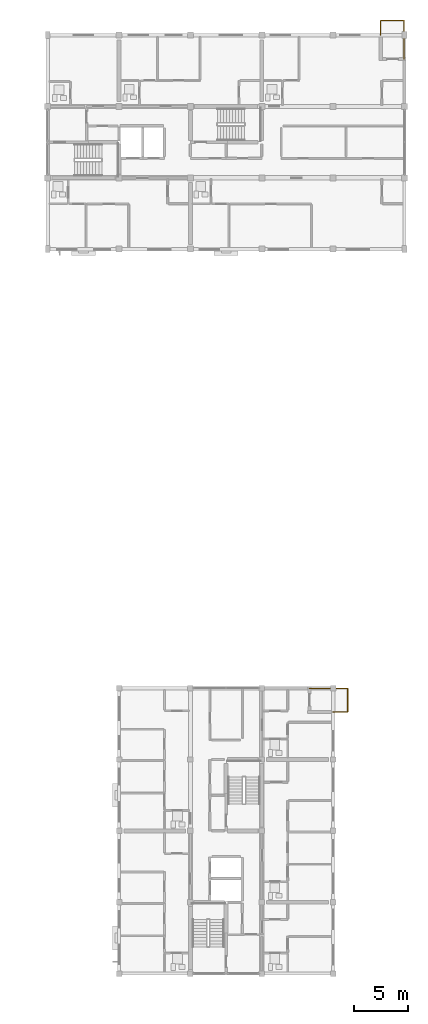
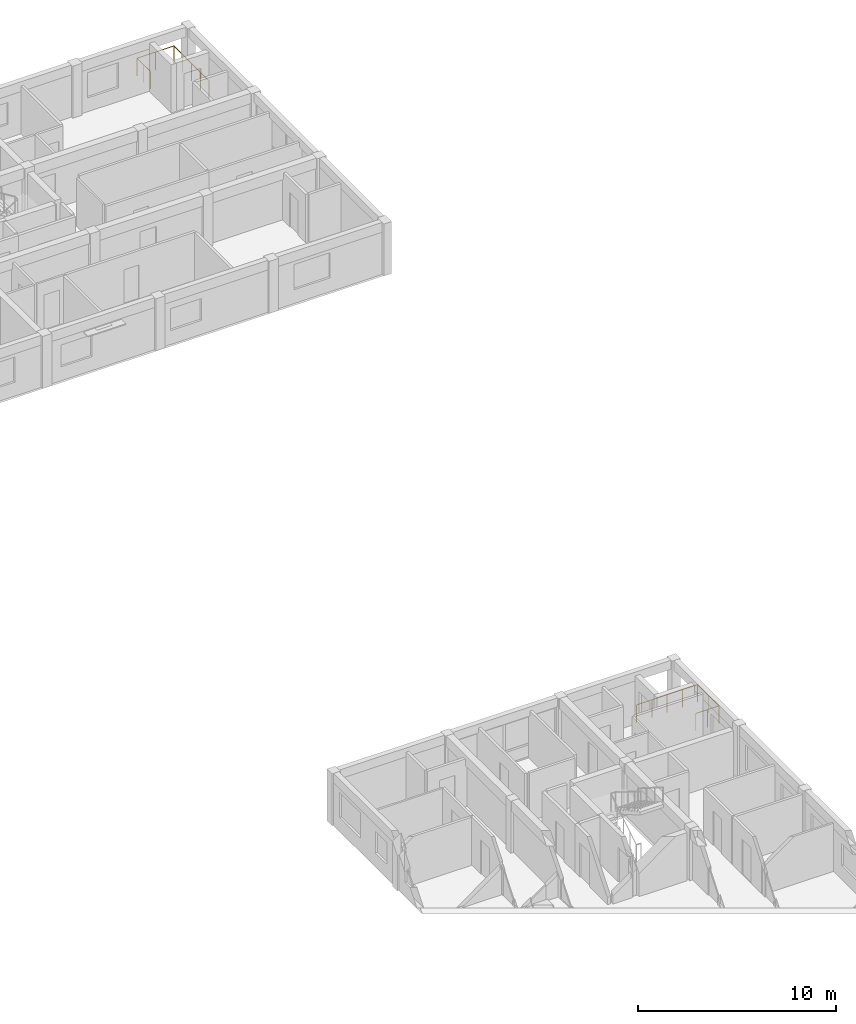
# One storey, part 51 of 52: 2 railings.
"""IFC4 building model written with IfcOpenShell, lengths in metres."""

from ifc_helpers import new_model, si_unit, direction, frame, origin, origin_2d, place, context, subcontext, project, spatial, circle, extrude, material, type_object, element, save


model = new_model("IFC4")

# Units and contexts
model_context = context("Model", 3, precision=1e-05, world=origin(), true_north=direction((0.0, 1.0)))
body_context = subcontext(model_context, "Body", "Model", "MODEL_VIEW")
ifc_project = project(units=[si_unit("LENGTHUNIT", "METRE"), si_unit("AREAUNIT", "SQUARE_METRE"), si_unit("VOLUMEUNIT", "CUBIC_METRE"), si_unit("PLANEANGLEUNIT", "RADIAN"), si_unit("MASSUNIT", "GRAM", prefix="KILO")], contexts=[model_context])

# Site, building, storey
site_placement = place(None, origin())
site = spatial("IfcSite", under=ifc_project, at=site_placement, CompositionType="ELEMENT")
building_placement = place(site_placement, origin())
building = spatial("IfcBuilding", under=site, at=building_placement, Name="Kernevlak Ridge Housing Community", CompositionType="ELEMENT")
storey_placement = place(building_placement, frame((0.0, 0.0, 11.60009765625)))
storey = spatial("IfcBuildingStorey", under=building, at=storey_placement, Name="L03", CompositionType="ELEMENT", Elevation=11.60009765625)

# Railings
ifc_material = material(Name="Steel S355", Category="steel")
railing_type = type_object("IfcRailingType", Name="BL-01", PredefinedType="BALUSTRADE", material=ifc_material)
railing_1_placement = place(storey_placement, frame((150.199951171875, 102.39990234375, 0.0)))
element("IfcRailing", 1, at=railing_1_placement, inside=storey, type_object=railing_type, Name="Block B L03 balcony balustrade BL-01 21", PredefinedType="BALUSTRADE", context=body_context, shape_type="SweptSolid", body=[
    extrude(circle(Radius=0.02392578125, at=origin_2d()), frame((0.0, 0.0, 1.076171875), z_axis=(0.0, 1.0, 0.0), x_axis=(-1.0, 0.0, 0.0)), (0.0, 0.0, 1.0), 1.35009765625),
    extrude(circle(Radius=0.02392578125, at=origin_2d()), frame((0.0, 1.35009765625, 1.076171875), z_axis=(1.0, 0.0, 0.0), x_axis=(0.0, 1.0, 0.0)), (0.0, 0.0, 1.0), 2.150146484375),
    extrude(circle(Radius=0.02392578125, at=origin_2d()), frame((2.150146484375, 1.35009765625, 1.076171875), z_axis=(0.0, -1.0, 0.0), x_axis=(1.0, 0.0, 0.0)), (0.0, 0.0, 1.0), 3.550048828125),
    extrude(circle(Radius=0.02099609375, at=origin_2d()), origin(), (0.0, 0.0, 1.0), 1.052001953125),
    extrude(circle(Radius=0.02099609375, at=origin_2d()), frame((0.0, 0.675048828125, 0.0)), (0.0, 0.0, 1.0), 1.052001953125),
    extrude(circle(Radius=0.02099609375, at=origin_2d()), frame((0.0, 1.35009765625, 0.0)), (0.0, 0.0, 1.0), 1.052001953125),
    extrude(circle(Radius=0.02099609375, at=origin_2d()), frame((1.0751953125, 1.35009765625, 0.0)), (0.0, 0.0, 1.0), 1.052001953125),
    extrude(circle(Radius=0.02099609375, at=origin_2d()), frame((2.150146484375, 1.35009765625, 0.0)), (0.0, 0.0, 1.0), 1.052001953125),
    extrude(circle(Radius=0.02099609375, at=origin_2d()), frame((2.150146484375, 0.462646484375, 0.0)), (0.0, 0.0, 1.0), 1.052001953125),
    extrude(circle(Radius=0.02099609375, at=origin_2d()), frame((2.150146484375, -0.4248046875, 0.0)), (0.0, 0.0, 1.0), 1.052001953125),
    extrude(circle(Radius=0.02099609375, at=origin_2d()), frame((2.150146484375, -1.3125, 0.0)), (0.0, 0.0, 1.0), 1.052001953125),
    extrude(circle(Radius=0.02099609375, at=origin_2d()), frame((2.150146484375, -2.199951171875, 0.0)), (0.0, 0.0, 1.0), 1.052001953125),
])
railing_2_placement = place(storey_placement, frame((145.800048828125, 39.800048828125, 0.0)))
element("IfcRailing", 2, at=railing_2_placement, inside=storey, type_object=railing_type, Name="Block C L03 balcony balustrade BL-01 36", PredefinedType="BALUSTRADE", context=body_context, shape_type="SweptSolid", body=[
    extrude(circle(Radius=0.02392578125, at=origin_2d()), frame((0.0, 0.0, 1.076171875), z_axis=(1.0, 0.0, 0.0), x_axis=(0.0, 1.0, 0.0)), (0.0, 0.0, 1.0), 1.349853515625),
    extrude(circle(Radius=0.02392578125, at=origin_2d()), frame((1.349853515625, 0.0, 1.076171875), z_axis=(0.0, 1.0, 0.0), x_axis=(-1.0, 0.0, 0.0)), (0.0, 0.0, 1.0), 2.14990234375),
    extrude(circle(Radius=0.02392578125, at=origin_2d()), frame((1.349853515625, 2.14990234375, 1.076171875), z_axis=(-1.0, 0.0, 0.0), x_axis=(0.0, -1.0, 0.0)), (0.0, 0.0, 1.0), 3.5498046875),
    extrude(circle(Radius=0.02099609375, at=origin_2d()), origin(), (0.0, 0.0, 1.0), 1.052001953125),
    extrude(circle(Radius=0.02099609375, at=origin_2d()), frame((0.6748046875, 0.0, 0.0)), (0.0, 0.0, 1.0), 1.052001953125),
    extrude(circle(Radius=0.02099609375, at=origin_2d()), frame((1.349853515625, 0.0, 0.0)), (0.0, 0.0, 1.0), 1.052001953125),
    extrude(circle(Radius=0.02099609375, at=origin_2d()), frame((1.349853515625, 1.074951171875, 0.0)), (0.0, 0.0, 1.0), 1.052001953125),
    extrude(circle(Radius=0.02099609375, at=origin_2d()), frame((1.349853515625, 2.14990234375, 0.0)), (0.0, 0.0, 1.0), 1.052001953125),
    extrude(circle(Radius=0.02099609375, at=origin_2d()), frame((0.46240234375, 2.14990234375, 0.0)), (0.0, 0.0, 1.0), 1.052001953125),
    extrude(circle(Radius=0.02099609375, at=origin_2d()), frame((-0.425048828125, 2.14990234375, 0.0)), (0.0, 0.0, 1.0), 1.052001953125),
    extrude(circle(Radius=0.02099609375, at=origin_2d()), frame((-1.3125, 2.14990234375, 0.0)), (0.0, 0.0, 1.0), 1.052001953125),
    extrude(circle(Radius=0.02099609375, at=origin_2d()), frame((-2.199951171875, 2.14990234375, 0.0)), (0.0, 0.0, 1.0), 1.052001953125),
])

save(model, "model.ifc")
